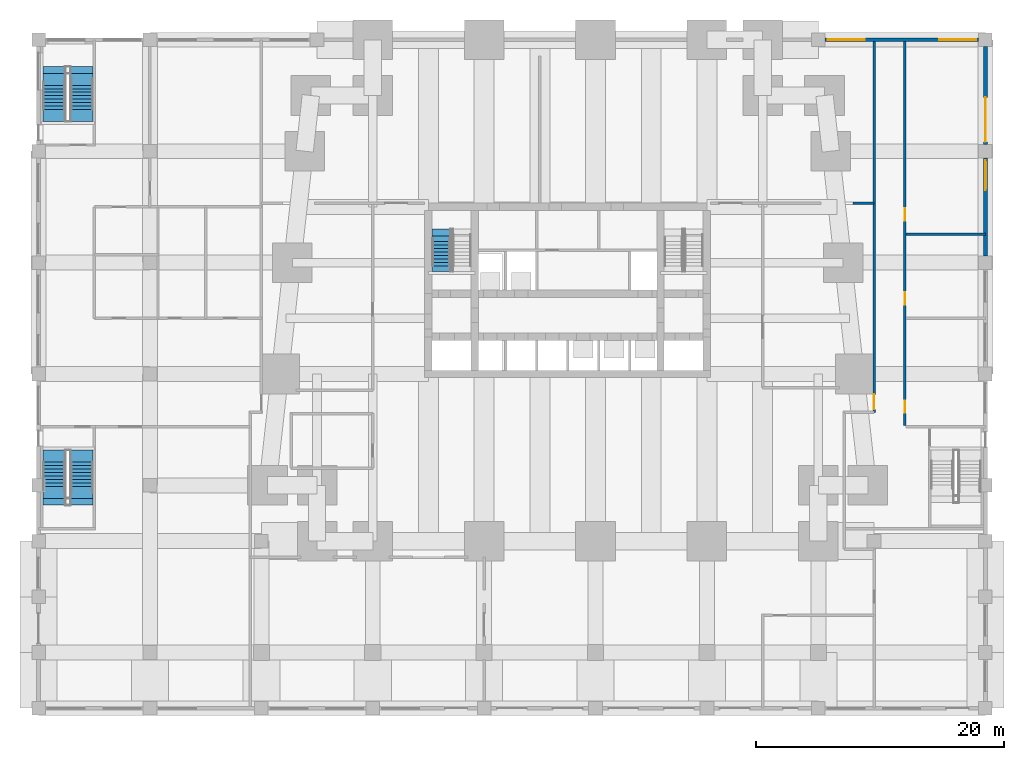
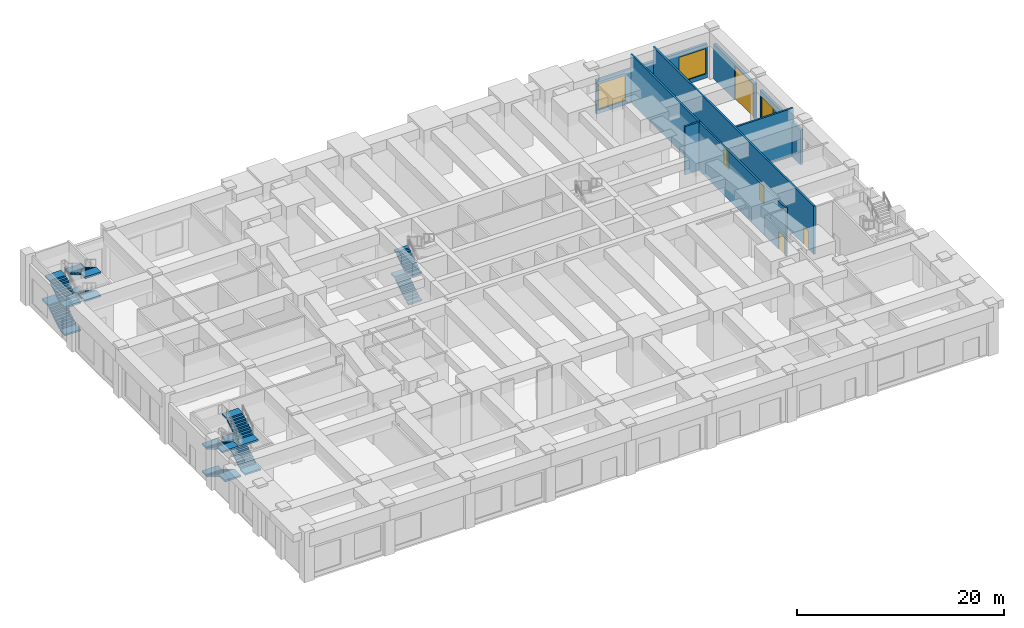
# One storey, part 7 of 13: 10 stair flights, 7 walls, 5 doors, 3 windows, 8 openings, 3 elements without a shape of their own.
"""IFC4 building model written with IfcOpenShell, lengths in metres."""

from ifc_helpers import new_model, si_unit, direction, frame, frame_2d, origin, place, context, subcontext, project, spatial, polyline, rectangle, outline, extrude, material, layer, layer_set, type_object, element, fill, aggregate, save


model = new_model("IFC4")

# Units and contexts
model_context = context("Model", 3, precision=1e-05, world=origin(), true_north=direction((0.0, 1.0)))
body_context = subcontext(model_context, "Body", "Model", "MODEL_VIEW")
ifc_project = project(units=[si_unit("LENGTHUNIT", "METRE"), si_unit("AREAUNIT", "SQUARE_METRE"), si_unit("VOLUMEUNIT", "CUBIC_METRE"), si_unit("PLANEANGLEUNIT", "RADIAN"), si_unit("MASSUNIT", "GRAM", prefix="KILO")], contexts=[model_context])

# Site, building, storey
site_placement = place(None, origin())
site = spatial("IfcSite", under=ifc_project, at=site_placement, CompositionType="ELEMENT")
building_placement = place(site_placement, origin())
building = spatial("IfcBuilding", under=site, at=building_placement, Name="Kilele Tower Hotel", CompositionType="ELEMENT")
storey_placement = place(building_placement, origin())
storey = spatial("IfcBuildingStorey", under=building, at=storey_placement, Name="L00", CompositionType="ELEMENT", Elevation=0.0)

# Wall, opening, door
ifc_material_1 = material(Name="Blockwork, plastered both sides", Category="masonry")
ifc_layer_1 = layer(ifc_material_1, 0.199951171875)
ifc_layer_set_1 = layer_set([ifc_layer_1], Name="Blockwork, plastered both sides")
wall_type_1 = type_object("IfcWallType", Name="Partition wall 200", PredefinedType="PARTITIONING", material=ifc_layer_set_1)
wall_1_placement = place(storey_placement, frame((49.5, 10.39990234375, 0.0), z_axis=(0.0, 0.0, 1.0), x_axis=(0.0, 1.0, 0.0)))
wall_1 = element("IfcWall", 1, at=wall_1_placement, inside=storey, type_object=wall_type_1, Name="Partition wall 200 L00", PredefinedType="PARTITIONING", context=body_context, shape_type="SweptSolid", body=[
    extrude(rectangle(XDim=30.10009765625, YDim=0.199951171875, at=frame_2d((15.050048828125, 0.0))), origin(), (0.0, 0.0, 1.0), 5.699951171875),
])
opening_1_placement = place(wall_1_placement, frame((0.25, 0.0, 0.0)))
opening_1 = element("IfcOpeningElement", 2, at=opening_1_placement, cuts=wall_1, Name="Opening D8A", PredefinedType="OPENING", context=body_context, shape_type="SweptSolid", body=[
    extrude(rectangle(XDim=1.199951171875, YDim=2.10009765625, at=frame_2d((0.60009765625, 1.050048828125))), frame((0.0, 0.10986328125, 0.0), z_axis=(0.0, -1.0, 0.0), x_axis=(1.0, 0.0, 0.0)), (0.0, 0.0, 1.0), 0.219970703125),
])
ifc_material_2 = material(Name="Timber door leaf in hardwood frame", Category="wood")
door_type_1 = type_object("IfcDoorType", Name="Door 1200", OperationType="SINGLE_SWING_LEFT", PredefinedType="DOOR", material=ifc_material_2)
door_1_placement = place(opening_1_placement, origin())
door_1 = element("IfcDoor", 3, at=door_1_placement, inside=storey, type_object=door_type_1, Name="Door service corridor", OperationType="SINGLE_SWING_LEFT", OverallHeight=2.10009765625, OverallWidth=1.199951171875, PredefinedType="DOOR", context=body_context, shape_type="SweptSolid", body=[
    extrude(rectangle(XDim=1.199951171875, YDim=2.10009765625, at=frame_2d((0.60009765625, 1.050048828125))), frame((0.0, 0.02490234375, 0.0), z_axis=(0.0, -1.0, 0.0), x_axis=(1.0, 0.0, 0.0)), (0.0, 0.0, 1.0), 0.050048828125),
])
fill(opening_1, door_1)

# Wall
wall_2_placement = place(storey_placement, frame((47.800048828125, 27.300048828125, 0.0), z_axis=(0.0, 0.0, 1.0), x_axis=(1.0, 0.0, 0.0)))
element("IfcWall", 4, at=wall_2_placement, inside=storey, type_object=wall_type_1, Name="Partition wall 200 L00", PredefinedType="PARTITIONING", context=body_context, shape_type="SweptSolid", body=[
    extrude(rectangle(XDim=1.699951171875, YDim=0.199951171875, at=frame_2d((0.85009765625, 0.0))), origin(), (0.0, 0.0, 1.0), 5.699951171875),
])

# Wall, openings, doors
wall_3_placement = place(storey_placement, frame((52.0, 9.35009765625, 0.0), z_axis=(0.0, 0.0, 1.0), x_axis=(0.0, 1.0, 0.0)))
wall_3 = element("IfcWall", 5, at=wall_3_placement, inside=storey, type_object=wall_type_1, Name="Partition wall 200 L00", PredefinedType="PARTITIONING", context=body_context, shape_type="SweptSolid", body=[
    extrude(rectangle(XDim=31.14990234375, YDim=0.199951171875, at=frame_2d((15.574951171875, 0.0))), origin(), (0.0, 0.0, 1.0), 5.699951171875),
])
opening_2_placement = place(wall_3_placement, frame((2.0, 0.0, 0.0), z_axis=(0.0, 0.0, 1.0), x_axis=(-1.0, 0.0, 0.0)))
opening_2 = element("IfcOpeningElement", 6, at=opening_2_placement, cuts=wall_3, Name="Opening D8", PredefinedType="OPENING", context=body_context, shape_type="SweptSolid", body=[
    extrude(rectangle(XDim=1.0, YDim=2.10009765625, at=frame_2d((0.5, 1.050048828125))), frame((0.0, 0.10986328125, 0.0), z_axis=(0.0, -1.0, 0.0), x_axis=(1.0, 0.0, 0.0)), (0.0, 0.0, 1.0), 0.219970703125),
])
opening_3_placement = place(wall_3_placement, frame((10.75, 0.0, 0.0), z_axis=(0.0, 0.0, 1.0), x_axis=(-1.0, 0.0, 0.0)))
opening_3 = element("IfcOpeningElement", 7, at=opening_3_placement, cuts=wall_3, Name="Opening D7", PredefinedType="OPENING", context=body_context, shape_type="SweptSolid", body=[
    extrude(rectangle(XDim=1.0, YDim=2.10009765625, at=frame_2d((0.5, 1.050048828125))), frame((0.0, 0.10986328125, 0.0), z_axis=(0.0, -1.0, 0.0), x_axis=(1.0, 0.0, 0.0)), (0.0, 0.0, 1.0), 0.219970703125),
])
opening_4_placement = place(wall_3_placement, frame((17.550048828125, 0.0, 0.0), z_axis=(0.0, 0.0, 1.0), x_axis=(-1.0, 0.0, 0.0)))
opening_4 = element("IfcOpeningElement", 8, at=opening_4_placement, cuts=wall_3, Name="Opening D7", PredefinedType="OPENING", context=body_context, shape_type="SweptSolid", body=[
    extrude(rectangle(XDim=1.0, YDim=2.10009765625, at=frame_2d((0.5, 1.050048828125))), frame((0.0, 0.10986328125, 0.0), z_axis=(0.0, -1.0, 0.0), x_axis=(1.0, 0.0, 0.0)), (0.0, 0.0, 1.0), 0.219970703125),
])
ifc_material_3 = material(Name="Timber door leaf in hardwood frame", Category="wood")
door_type_2 = type_object("IfcDoorType", Name="Door 1000", OperationType="SINGLE_SWING_LEFT", PredefinedType="DOOR", material=ifc_material_3)
door_2_placement = place(opening_2_placement, origin())
door_2 = element("IfcDoor", 9, at=door_2_placement, inside=storey, type_object=door_type_2, Name="Door Security office", OperationType="SINGLE_SWING_RIGHT", OverallHeight=2.10009765625, OverallWidth=1.0, PredefinedType="DOOR", context=body_context, shape_type="SweptSolid", body=[
    extrude(rectangle(XDim=1.0, YDim=2.10009765625, at=frame_2d((0.5, 1.050048828125))), frame((0.0, 0.02490234375, 0.0), z_axis=(0.0, -1.0, 0.0), x_axis=(1.0, 0.0, 0.0)), (0.0, 0.0, 1.0), 0.050048828125),
])
fill(opening_2, door_2)
ifc_material_4 = material(Name="Timber door leaf in hardwood frame", Category="wood")
door_type_3 = type_object("IfcDoorType", Name="Plant room door 1000", OperationType="SINGLE_SWING_LEFT", PredefinedType="DOOR", material=ifc_material_4)
door_3_placement = place(opening_3_placement, origin())
door_3 = element("IfcDoor", 10, at=door_3_placement, inside=storey, type_object=door_type_3, Name="Door Refuse room", OperationType="SINGLE_SWING_RIGHT", OverallHeight=2.10009765625, OverallWidth=1.0, PredefinedType="DOOR", context=body_context, shape_type="SweptSolid", body=[
    extrude(rectangle(XDim=1.0, YDim=2.10009765625, at=frame_2d((0.5, 1.050048828125))), frame((0.0, 0.02490234375, 0.0), z_axis=(0.0, -1.0, 0.0), x_axis=(1.0, 0.0, 0.0)), (0.0, 0.0, 1.0), 0.050048828125),
])
fill(opening_3, door_3)
door_4_placement = place(opening_4_placement, origin())
door_4 = element("IfcDoor", 11, at=door_4_placement, inside=storey, type_object=door_type_3, Name="Door Loading bay", OperationType="SINGLE_SWING_RIGHT", OverallHeight=2.10009765625, OverallWidth=1.0, PredefinedType="DOOR", context=body_context, shape_type="SweptSolid", body=[
    extrude(rectangle(XDim=1.0, YDim=2.10009765625, at=frame_2d((0.5, 1.050048828125))), frame((0.0, 0.02490234375, 0.0), z_axis=(0.0, -1.0, 0.0), x_axis=(1.0, 0.0, 0.0)), (0.0, 0.0, 1.0), 0.050048828125),
])
fill(opening_4, door_4)

# Wall
wall_4_placement = place(storey_placement, frame((52.10009765625, 24.800048828125, 0.0), z_axis=(0.0, 0.0, 1.0), x_axis=(1.0, 0.0, 0.0)))
element("IfcWall", 12, at=wall_4_placement, inside=storey, type_object=wall_type_1, Name="Partition wall 200 L00", PredefinedType="PARTITIONING", context=body_context, shape_type="SweptSolid", body=[
    extrude(rectangle(XDim=6.39990234375, YDim=0.199951171875, at=frame_2d((3.199951171875, 0.0))), origin(), (0.0, 0.0, 1.0), 5.699951171875),
])

# Wall, opening, window
ifc_material_5 = material(Name="Concrete C40/50 precast", Category="concrete")
ifc_layer_2 = layer(ifc_material_5, 0.260009765625, Name="Precast backing", Category="LoadBearing")
ifc_material_6 = material(Name="Reconstituted stone finish", Category="masonry")
ifc_layer_3 = layer(ifc_material_6, 0.0400390625, Name="Face mix", Category="Finish")
ifc_layer_set_2 = layer_set([ifc_layer_2, ifc_layer_3], Name="Precast concrete C40/50, reconstituted stone finish")
wall_type_2 = type_object("IfcWallType", Name="Precast stone facade wall 300", PredefinedType="STANDARD", material=ifc_layer_set_2)
wall_5_placement = place(storey_placement, frame((58.5, 23.050048828125, 0.0), z_axis=(0.0, 0.0, 1.0), x_axis=(0.0, 1.0, 0.0)))
wall_5 = element("IfcWall", 13, at=wall_5_placement, inside=storey, type_object=wall_type_2, Name="Podium wall L00 E", PredefinedType="STANDARD", context=body_context, shape_type="SweptSolid", body=[
    extrude(rectangle(XDim=7.89990234375, YDim=0.300048828125, at=frame_2d((3.949951171875, 0.0))), origin(), (0.0, 0.0, 1.0), 4.10009765625),
])
opening_5_placement = place(wall_5_placement, frame((5.300048828125, 0.0, 0.5)))
opening_5 = element("IfcOpeningElement", 14, at=opening_5_placement, cuts=wall_5, Name="Opening W5", PredefinedType="OPENING", context=body_context, shape_type="SweptSolid", body=[
    extrude(rectangle(XDim=2.39990234375, YDim=3.0, at=frame_2d((1.199951171875, 1.5))), frame((0.0, 0.159912109375, 0.0), z_axis=(0.0, -1.0, 0.0), x_axis=(1.0, 0.0, 0.0)), (0.0, 0.0, 1.0), 0.320068359375),
])
ifc_material_7 = material(Name="Aluminium frame, clear double glazing", Category="aluminium")
window_type_1 = type_object("IfcWindowType", Name="Window W5 2400 x 3000", PartitioningType="SINGLE_PANEL", PredefinedType="WINDOW", material=ifc_material_7)
window_1_placement = place(opening_5_placement, origin())
window_1 = element("IfcWindow", 15, at=window_1_placement, inside=storey, type_object=window_type_1, Name="Shopfront window L00", OverallHeight=3.0, OverallWidth=2.39990234375, PartitioningType="SINGLE_PANEL", PredefinedType="WINDOW", context=body_context, shape_type="SweptSolid", body=[
    extrude(rectangle(XDim=2.39990234375, YDim=3.0, at=frame_2d((1.199951171875, 1.5))), frame((0.0, 0.030029296875, 0.0), z_axis=(0.0, -1.0, 0.0), x_axis=(1.0, 0.0, 0.0)), (0.0, 0.0, 1.0), 0.06005859375),
])
fill(opening_5, window_1)

# Wall, opening, door
wall_6_placement = place(storey_placement, frame((58.5, 32.050048828125, 0.0), z_axis=(0.0, 0.0, 1.0), x_axis=(0.0, 1.0, 0.0)))
wall_6 = element("IfcWall", 16, at=wall_6_placement, inside=storey, type_object=wall_type_2, Name="Podium wall L00 E", PredefinedType="STANDARD", context=body_context, shape_type="SweptSolid", body=[
    extrude(rectangle(XDim=7.89990234375, YDim=0.300048828125, at=frame_2d((3.949951171875, 0.0))), origin(), (0.0, 0.0, 1.0), 4.10009765625),
])
opening_6_placement = place(wall_6_placement, frame((0.199951171875, 0.0, 0.0)))
opening_6 = element("IfcOpeningElement", 17, at=opening_6_placement, cuts=wall_6, Name="Opening RS1", PredefinedType="OPENING", context=body_context, shape_type="SweptSolid", body=[
    extrude(rectangle(XDim=3.60009765625, YDim=4.0, at=frame_2d((1.800048828125, 2.0))), frame((0.0, 0.159912109375, 0.0), z_axis=(0.0, -1.0, 0.0), x_axis=(1.0, 0.0, 0.0)), (0.0, 0.0, 1.0), 0.320068359375),
])
ifc_material_8 = material(Name="Steel roller shutter", Category="steel")
door_type_4 = type_object("IfcDoorType", Name="Roller shutter 3600", OperationType="ROLLINGUP", PredefinedType="DOOR", material=ifc_material_8)
door_5_placement = place(opening_6_placement, origin())
door_5 = element("IfcDoor", 18, at=door_5_placement, inside=storey, type_object=door_type_4, Name="Roller shutter", OperationType="ROLLINGUP", OverallHeight=4.0, OverallWidth=3.60009765625, PredefinedType="DOOR", context=body_context, shape_type="SweptSolid", body=[
    extrude(rectangle(XDim=3.60009765625, YDim=4.0, at=frame_2d((1.800048828125, 2.0))), frame((0.0, 0.02490234375, 0.0), z_axis=(0.0, -1.0, 0.0), x_axis=(1.0, 0.0, 0.0)), (0.0, 0.0, 1.0), 0.050048828125),
])
fill(opening_6, door_5)

# Wall, openings, windows
wall_7_placement = place(storey_placement, frame((57.949951171875, 40.5, 0.0), z_axis=(0.0, 0.0, 1.0), x_axis=(-1.0, 0.0, 0.0)))
wall_7 = element("IfcWall", 19, at=wall_7_placement, inside=storey, type_object=wall_type_2, Name="Podium wall L00 N", PredefinedType="STANDARD", context=body_context, shape_type="SweptSolid", body=[
    extrude(rectangle(XDim=12.39990234375, YDim=0.300048828125, at=frame_2d((6.199951171875, 0.0))), origin(), (0.0, 0.0, 1.0), 4.0),
])
opening_7_placement = place(wall_7_placement, frame((0.199951171875, 0.0, 0.5)))
opening_7 = element("IfcOpeningElement", 20, at=opening_7_placement, cuts=wall_7, Name="Opening W5", PredefinedType="OPENING", context=body_context, shape_type="SweptSolid", body=[
    extrude(rectangle(XDim=3.0, YDim=3.0, at=frame_2d((1.5, 1.5))), frame((0.0, 0.159912109375, 0.0), z_axis=(0.0, -1.0, 0.0), x_axis=(1.0, 0.0, 0.0)), (0.0, 0.0, 1.0), 0.320068359375),
])
opening_8_placement = place(wall_7_placement, frame((9.199951171875, 0.0, 0.5)))
opening_8 = element("IfcOpeningElement", 21, at=opening_8_placement, cuts=wall_7, Name="Opening W5", PredefinedType="OPENING", context=body_context, shape_type="SweptSolid", body=[
    extrude(rectangle(XDim=3.0, YDim=3.0, at=frame_2d((1.5, 1.5))), frame((0.0, 0.159912109375, 0.0), z_axis=(0.0, -1.0, 0.0), x_axis=(1.0, 0.0, 0.0)), (0.0, 0.0, 1.0), 0.320068359375),
])
ifc_material_9 = material(Name="Aluminium frame, clear double glazing", Category="aluminium")
window_type_2 = type_object("IfcWindowType", Name="Window W5 3000 x 3000", PartitioningType="SINGLE_PANEL", PredefinedType="WINDOW", material=ifc_material_9)
window_2_placement = place(opening_7_placement, origin())
window_2 = element("IfcWindow", 22, at=window_2_placement, inside=storey, type_object=window_type_2, Name="Shopfront window L00", OverallHeight=3.0, OverallWidth=3.0, PartitioningType="SINGLE_PANEL", PredefinedType="WINDOW", context=body_context, shape_type="SweptSolid", body=[
    extrude(rectangle(XDim=3.0, YDim=3.0, at=frame_2d((1.5, 1.5))), frame((0.0, 0.030029296875, 0.0), z_axis=(0.0, -1.0, 0.0), x_axis=(1.0, 0.0, 0.0)), (0.0, 0.0, 1.0), 0.06005859375),
])
fill(opening_7, window_2)
window_3_placement = place(opening_8_placement, origin())
window_3 = element("IfcWindow", 23, at=window_3_placement, inside=storey, type_object=window_type_2, Name="Shopfront window L00", OverallHeight=3.0, OverallWidth=3.0, PartitioningType="SINGLE_PANEL", PredefinedType="WINDOW", context=body_context, shape_type="SweptSolid", body=[
    extrude(rectangle(XDim=3.0, YDim=3.0, at=frame_2d((1.5, 1.5))), frame((0.0, 0.030029296875, 0.0), z_axis=(0.0, -1.0, 0.0), x_axis=(1.0, 0.0, 0.0)), (0.0, 0.0, 1.0), 0.06005859375),
])
fill(opening_8, window_3)

# Stair, stair flights
ifc_material_10 = material(Name="Precast concrete C40/50", Category="concrete")
stair_type_1 = type_object("IfcStairType", Name="Stair 1475 x 6000", PredefinedType="HALF_TURN_STAIR", material=ifc_material_10)
stair_1_placement = place(storey_placement, origin())
stair_1 = element("IfcStair", 24, at=stair_1_placement, inside=storey, type_object=stair_type_1, Name="Stair 1 L00", PredefinedType="HALF_TURN_STAIR")
ifc_material_11 = material(Name="Precast concrete C40/50", Category="concrete")
stair_flight_type_1 = type_object("IfcStairFlightType", Name="Flight 1475 riser 171.4", PredefinedType="STRAIGHT", material=ifc_material_11)
stair_flight_1_placement = place(storey_placement, frame((14.53759765625, 22.239990234375, 0.0), z_axis=(0.0, 0.0, 1.0), x_axis=(0.0, 1.0, 0.0)))
stair_flight_1 = element("IfcStairFlight", 25, at=stair_flight_1_placement, type_object=stair_flight_type_1, Name="ST1 flight 1", NumberOfRisers=9, NumberOfTreads=8, PredefinedType="STRAIGHT", RiserHeight=0.171428571, TreadLength=0.28, context=body_context, shape_type="SweptSolid", body=[
    extrude(outline(polyline([(0.0, 0.0), (0.0, 0.17138671875), (0.280029296875, 0.17138671875), (0.280029296875, 0.3427734375), (0.56005859375, 0.3427734375), (0.56005859375, 0.514404296875), (0.840087890625, 0.514404296875), (0.840087890625, 0.685791015625), (1.1201171875, 0.685791015625), (1.1201171875, 0.857177734375), (1.39990234375, 0.857177734375), (1.39990234375, 1.028564453125), (1.679931640625, 1.028564453125), (1.679931640625, 1.199951171875), (1.9599609375, 1.199951171875), (1.9599609375, 1.371337890625), (2.239990234375, 1.371337890625), (2.239990234375, 1.54296875), (2.239990234375, 1.195556640625), (0.287109375, 0.0), (0.0, 0.0)])), frame((0.0, 0.737548828125, 0.0), z_axis=(0.0, -1.0, 0.0), x_axis=(1.0, 0.0, 0.0)), (0.0, 0.0, 1.0), 1.47509765625),
    extrude(outline(polyline([(-0.465087890625, 0.737548828125), (-0.465087890625, -0.7373046875), (0.0, -0.7373046875), (0.0, 0.737548828125), (-0.465087890625, 0.737548828125)])), frame((0.0, 0.0, -0.199951171875)), (0.0, 0.0, 1.0), 0.199951171875),
    extrude(outline(polyline([(2.239990234375, 0.737548828125), (2.239990234375, -0.7373046875), (2.985107421875, -0.7373046875), (2.985107421875, 0.737548828125), (2.239990234375, 0.737548828125)])), frame((0.0, 0.0, 1.343017578125)), (0.0, 0.0, 1.0), 0.199951171875),
])
stair_flight_2_placement = place(storey_placement, frame((14.53759765625, 22.239990234375, 3.257080078125), z_axis=(0.0, 0.0, 1.0), x_axis=(0.0, 1.0, 0.0)))
stair_flight_2 = element("IfcStairFlight", 26, at=stair_flight_2_placement, type_object=stair_flight_type_1, Name="ST1 flight 3", NumberOfRisers=8, NumberOfTreads=7, PredefinedType="STRAIGHT", RiserHeight=0.171428571, TreadLength=0.28, context=body_context, shape_type="SweptSolid", body=[
    extrude(outline(polyline([(0.0, 0.0), (0.0, 0.17138671875), (0.280029296875, 0.17138671875), (0.280029296875, 0.3427734375), (0.56005859375, 0.3427734375), (0.56005859375, 0.514404296875), (0.840087890625, 0.514404296875), (0.840087890625, 0.685791015625), (1.1201171875, 0.685791015625), (1.1201171875, 0.857177734375), (1.39990234375, 0.857177734375), (1.39990234375, 1.028564453125), (1.679931640625, 1.028564453125), (1.679931640625, 1.199951171875), (1.9599609375, 1.199951171875), (1.9599609375, 1.371337890625), (1.9599609375, 1.024169921875), (0.287109375, 0.0), (0.0, 0.0)])), frame((0.0, 0.737548828125, 0.0), z_axis=(0.0, -1.0, 0.0), x_axis=(1.0, 0.0, 0.0)), (0.0, 0.0, 1.0), 1.47509765625),
    extrude(outline(polyline([(-0.465087890625, 0.737548828125), (-0.465087890625, -0.7373046875), (0.0, -0.7373046875), (0.0, 0.737548828125), (-0.465087890625, 0.737548828125)])), frame((0.0, 0.0, -0.199951171875)), (0.0, 0.0, 1.0), 0.199951171875),
    extrude(outline(polyline([(1.9599609375, 0.737548828125), (1.9599609375, -0.7373046875), (2.425048828125, -0.7373046875), (2.425048828125, 0.737548828125), (1.9599609375, 0.737548828125)])), frame((0.0, 0.0, 1.171630859375)), (0.0, 0.0, 1.0), 0.199951171875),
])
aggregate(stair_1, [stair_flight_1, stair_flight_2])

ifc_material_12 = material(Name="Precast concrete C40/50", Category="concrete")
stair_type_2 = type_object("IfcStairType", Name="Stair 1800 x 6000", PredefinedType="HALF_TURN_STAIR", material=ifc_material_12)
stair_2_placement = place(storey_placement, origin())
stair_2 = element("IfcStair", 27, at=stair_2_placement, inside=storey, type_object=stair_type_2, Name="Stair 3 L00", PredefinedType="HALF_TURN_STAIR")
ifc_material_13 = material(Name="Precast concrete C40/50", Category="concrete")
stair_flight_type_2 = type_object("IfcStairFlightType", Name="Flight 1800 riser 171.4", PredefinedType="STRAIGHT", material=ifc_material_13)
stair_flight_3_placement = place(storey_placement, frame((-16.75, 34.864990234375, 0.0), z_axis=(0.0, 0.0, 1.0), x_axis=(0.0, 1.0, 0.0)))
stair_flight_3 = element("IfcStairFlight", 28, at=stair_flight_3_placement, type_object=stair_flight_type_2, Name="ST3 flight 1", NumberOfRisers=9, NumberOfTreads=8, PredefinedType="STRAIGHT", RiserHeight=0.171428571, TreadLength=0.28, context=body_context, shape_type="SweptSolid", body=[
    extrude(outline(polyline([(0.0, 0.0), (0.0, 0.17138671875), (0.280029296875, 0.17138671875), (0.280029296875, 0.3427734375), (0.56005859375, 0.3427734375), (0.56005859375, 0.514404296875), (0.840087890625, 0.514404296875), (0.840087890625, 0.685791015625), (1.1201171875, 0.685791015625), (1.1201171875, 0.857177734375), (1.39990234375, 0.857177734375), (1.39990234375, 1.028564453125), (1.679931640625, 1.028564453125), (1.679931640625, 1.199951171875), (1.9599609375, 1.199951171875), (1.9599609375, 1.371337890625), (2.239990234375, 1.371337890625), (2.239990234375, 1.54296875), (2.239990234375, 1.195556640625), (0.287109375, 0.0), (0.0, 0.0)])), frame((0.0, 0.89990234375, 0.0), z_axis=(0.0, -1.0, 0.0), x_axis=(1.0, 0.0, 0.0)), (0.0, 0.0, 1.0), 1.800048828125),
    extrude(outline(polyline([(-0.965087890625, 0.89990234375), (-0.965087890625, -0.89990234375), (0.0, -0.89990234375), (0.0, 0.89990234375), (-0.965087890625, 0.89990234375)])), frame((0.0, 0.0, -0.199951171875)), (0.0, 0.0, 1.0), 0.199951171875),
    extrude(outline(polyline([(2.239990234375, 0.89990234375), (2.239990234375, -0.89990234375), (3.485107421875, -0.89990234375), (3.485107421875, 0.89990234375), (2.239990234375, 0.89990234375)])), frame((0.0, 0.0, 1.343017578125)), (0.0, 0.0, 1.0), 0.199951171875),
])
stair_flight_4_placement = place(storey_placement, frame((-14.5, 37.385009765625, 1.54296875), z_axis=(0.0, 0.0, 1.0), x_axis=(0.0, -1.0, 0.0)))
stair_flight_4 = element("IfcStairFlight", 29, at=stair_flight_4_placement, type_object=stair_flight_type_2, Name="ST3 flight 2", NumberOfRisers=10, NumberOfTreads=9, PredefinedType="STRAIGHT", RiserHeight=0.171428571, TreadLength=0.28, context=body_context, shape_type="SweptSolid", body=[
    extrude(outline(polyline([(0.0, 0.0), (0.0, 0.17138671875), (0.280029296875, 0.17138671875), (0.280029296875, 0.3427734375), (0.56005859375, 0.3427734375), (0.56005859375, 0.514404296875), (0.840087890625, 0.514404296875), (0.840087890625, 0.685791015625), (1.1201171875, 0.685791015625), (1.1201171875, 0.857177734375), (1.39990234375, 0.857177734375), (1.39990234375, 1.028564453125), (1.679931640625, 1.028564453125), (1.679931640625, 1.199951171875), (1.9599609375, 1.199951171875), (1.9599609375, 1.371337890625), (2.239990234375, 1.371337890625), (2.239990234375, 1.54296875), (2.52001953125, 1.54296875), (2.52001953125, 1.71435546875), (2.52001953125, 1.3671875), (0.287109375, 0.0), (0.0, 0.0)])), frame((0.0, 0.89990234375, 0.0), z_axis=(0.0, -1.0, 0.0), x_axis=(1.0, 0.0, 0.0)), (0.0, 0.0, 1.0), 1.800048828125),
    extrude(outline(polyline([(0.0, -0.89990234375), (0.0, 0.89990234375), (-0.965087890625, 0.89990234375), (-0.965087890625, -0.89990234375), (0.0, -0.89990234375)])), frame((0.0, 0.0, -0.199951171875)), (0.0, 0.0, 1.0), 0.199951171875),
    extrude(outline(polyline([(3.485107421875, -0.89990234375), (3.485107421875, 0.89990234375), (2.52001953125, 0.89990234375), (2.52001953125, -0.89990234375), (3.485107421875, -0.89990234375)])), frame((0.0, 0.0, 1.51416015625)), (0.0, 0.0, 1.0), 0.199951171875),
])
stair_flight_5_placement = place(storey_placement, frame((-16.75, 34.864990234375, 3.257080078125), z_axis=(0.0, 0.0, 1.0), x_axis=(0.0, 1.0, 0.0)))
stair_flight_5 = element("IfcStairFlight", 30, at=stair_flight_5_placement, type_object=stair_flight_type_2, Name="ST3 flight 3", NumberOfRisers=8, NumberOfTreads=7, PredefinedType="STRAIGHT", RiserHeight=0.171428571, TreadLength=0.28, context=body_context, shape_type="SweptSolid", body=[
    extrude(outline(polyline([(0.0, 0.0), (0.0, 0.17138671875), (0.280029296875, 0.17138671875), (0.280029296875, 0.3427734375), (0.56005859375, 0.3427734375), (0.56005859375, 0.514404296875), (0.840087890625, 0.514404296875), (0.840087890625, 0.685791015625), (1.1201171875, 0.685791015625), (1.1201171875, 0.857177734375), (1.39990234375, 0.857177734375), (1.39990234375, 1.028564453125), (1.679931640625, 1.028564453125), (1.679931640625, 1.199951171875), (1.9599609375, 1.199951171875), (1.9599609375, 1.371337890625), (1.9599609375, 1.024169921875), (0.287109375, 0.0), (0.0, 0.0)])), frame((0.0, 0.89990234375, 0.0), z_axis=(0.0, -1.0, 0.0), x_axis=(1.0, 0.0, 0.0)), (0.0, 0.0, 1.0), 1.800048828125),
    extrude(outline(polyline([(-0.965087890625, 0.89990234375), (-0.965087890625, -0.89990234375), (0.0, -0.89990234375), (0.0, 0.89990234375), (-0.965087890625, 0.89990234375)])), frame((0.0, 0.0, -0.199951171875)), (0.0, 0.0, 1.0), 0.199951171875),
    extrude(outline(polyline([(1.9599609375, 0.89990234375), (1.9599609375, -0.89990234375), (2.925048828125, -0.89990234375), (2.925048828125, 0.89990234375), (1.9599609375, 0.89990234375)])), frame((0.0, 0.0, 1.171630859375)), (0.0, 0.0, 1.0), 0.199951171875),
])
stair_flight_6_placement = place(storey_placement, frame((-14.5, 36.824951171875, 4.628662109375), z_axis=(0.0, 0.0, 1.0), x_axis=(0.0, -1.0, 0.0)))
stair_flight_6 = element("IfcStairFlight", 31, at=stair_flight_6_placement, type_object=stair_flight_type_2, Name="ST3 flight 4", NumberOfRisers=8, NumberOfTreads=7, PredefinedType="STRAIGHT", RiserHeight=0.171428571, TreadLength=0.28, context=body_context, shape_type="SweptSolid", body=[
    extrude(outline(polyline([(0.0, 0.0), (0.0, 0.17138671875), (0.280029296875, 0.17138671875), (0.280029296875, 0.3427734375), (0.56005859375, 0.3427734375), (0.56005859375, 0.514404296875), (0.840087890625, 0.514404296875), (0.840087890625, 0.685791015625), (1.1201171875, 0.685791015625), (1.1201171875, 0.857177734375), (1.39990234375, 0.857177734375), (1.39990234375, 1.028564453125), (1.679931640625, 1.028564453125), (1.679931640625, 1.199951171875), (1.9599609375, 1.199951171875), (1.9599609375, 1.371337890625), (1.9599609375, 1.024169921875), (0.287109375, 0.0), (0.0, 0.0)])), frame((0.0, 0.89990234375, 0.0), z_axis=(0.0, -1.0, 0.0), x_axis=(1.0, 0.0, 0.0)), (0.0, 0.0, 1.0), 1.800048828125),
    extrude(outline(polyline([(0.0, -0.89990234375), (0.0, 0.89990234375), (-0.965087890625, 0.89990234375), (-0.965087890625, -0.89990234375), (0.0, -0.89990234375)])), frame((0.0, 0.0, -0.199951171875)), (0.0, 0.0, 1.0), 0.199951171875),
    extrude(outline(polyline([(2.925048828125, -0.89990234375), (2.925048828125, 0.89990234375), (1.9599609375, 0.89990234375), (1.9599609375, -0.89990234375), (2.925048828125, -0.89990234375)])), frame((0.0, 0.0, 1.17138671875)), (0.0, 0.0, 1.0), 0.199951171875),
])
aggregate(stair_2, [stair_flight_3, stair_flight_4, stair_flight_5, stair_flight_6])

stair_3_placement = place(storey_placement, origin())
stair_3 = element("IfcStair", 32, at=stair_3_placement, inside=storey, type_object=stair_type_2, Name="Stair 4 L00", PredefinedType="HALF_TURN_STAIR")
stair_flight_7_placement = place(storey_placement, frame((-16.75, 6.385009765625, 0.0), z_axis=(0.0, 0.0, 1.0), x_axis=(0.0, -1.0, 0.0)))
stair_flight_7 = element("IfcStairFlight", 33, at=stair_flight_7_placement, type_object=stair_flight_type_2, Name="ST4 flight 1", NumberOfRisers=9, NumberOfTreads=8, PredefinedType="STRAIGHT", RiserHeight=0.171428571, TreadLength=0.28, context=body_context, shape_type="SweptSolid", body=[
    extrude(outline(polyline([(0.0, 0.0), (0.0, 0.17138671875), (0.280029296875, 0.17138671875), (0.280029296875, 0.3427734375), (0.56005859375, 0.3427734375), (0.56005859375, 0.514404296875), (0.840087890625, 0.514404296875), (0.840087890625, 0.685791015625), (1.1201171875, 0.685791015625), (1.1201171875, 0.857177734375), (1.39990234375, 0.857177734375), (1.39990234375, 1.028564453125), (1.679931640625, 1.028564453125), (1.679931640625, 1.199951171875), (1.9599609375, 1.199951171875), (1.9599609375, 1.371337890625), (2.239990234375, 1.371337890625), (2.239990234375, 1.54296875), (2.239990234375, 1.195556640625), (0.287109375, 0.0), (0.0, 0.0)])), frame((0.0, 0.89990234375, 0.0), z_axis=(0.0, -1.0, 0.0), x_axis=(1.0, 0.0, 0.0)), (0.0, 0.0, 1.0), 1.800048828125),
    extrude(outline(polyline([(0.0, -0.89990234375), (0.0, 0.89990234375), (-0.965087890625, 0.89990234375), (-0.965087890625, -0.89990234375), (0.0, -0.89990234375)])), frame((0.0, 0.0, -0.199951171875)), (0.0, 0.0, 1.0), 0.199951171875),
    extrude(outline(polyline([(3.485107421875, -0.89990234375), (3.485107421875, 0.89990234375), (2.239990234375, 0.89990234375), (2.239990234375, -0.89990234375), (3.485107421875, -0.89990234375)])), frame((0.0, 0.0, 1.343017578125)), (0.0, 0.0, 1.0), 0.199951171875),
])
stair_flight_8_placement = place(storey_placement, frame((-14.5, 3.864990234375, 1.54296875), z_axis=(0.0, 0.0, 1.0), x_axis=(0.0, 1.0, 0.0)))
stair_flight_8 = element("IfcStairFlight", 34, at=stair_flight_8_placement, type_object=stair_flight_type_2, Name="ST4 flight 2", NumberOfRisers=10, NumberOfTreads=9, PredefinedType="STRAIGHT", RiserHeight=0.171428571, TreadLength=0.28, context=body_context, shape_type="SweptSolid", body=[
    extrude(outline(polyline([(0.0, 0.0), (0.0, 0.17138671875), (0.280029296875, 0.17138671875), (0.280029296875, 0.3427734375), (0.56005859375, 0.3427734375), (0.56005859375, 0.514404296875), (0.840087890625, 0.514404296875), (0.840087890625, 0.685791015625), (1.1201171875, 0.685791015625), (1.1201171875, 0.857177734375), (1.39990234375, 0.857177734375), (1.39990234375, 1.028564453125), (1.679931640625, 1.028564453125), (1.679931640625, 1.199951171875), (1.9599609375, 1.199951171875), (1.9599609375, 1.371337890625), (2.239990234375, 1.371337890625), (2.239990234375, 1.54296875), (2.52001953125, 1.54296875), (2.52001953125, 1.71435546875), (2.52001953125, 1.3671875), (0.287109375, 0.0), (0.0, 0.0)])), frame((0.0, 0.89990234375, 0.0), z_axis=(0.0, -1.0, 0.0), x_axis=(1.0, 0.0, 0.0)), (0.0, 0.0, 1.0), 1.800048828125),
    extrude(outline(polyline([(-0.965087890625, 0.89990234375), (-0.965087890625, -0.89990234375), (0.0, -0.89990234375), (0.0, 0.89990234375), (-0.965087890625, 0.89990234375)])), frame((0.0, 0.0, -0.199951171875)), (0.0, 0.0, 1.0), 0.199951171875),
    extrude(outline(polyline([(2.52001953125, 0.89990234375), (2.52001953125, -0.89990234375), (3.485107421875, -0.89990234375), (3.485107421875, 0.89990234375), (2.52001953125, 0.89990234375)])), frame((0.0, 0.0, 1.51416015625)), (0.0, 0.0, 1.0), 0.199951171875),
])
stair_flight_9_placement = place(storey_placement, frame((-16.75, 6.385009765625, 3.257080078125), z_axis=(0.0, 0.0, 1.0), x_axis=(0.0, -1.0, 0.0)))
stair_flight_9 = element("IfcStairFlight", 35, at=stair_flight_9_placement, type_object=stair_flight_type_2, Name="ST4 flight 3", NumberOfRisers=8, NumberOfTreads=7, PredefinedType="STRAIGHT", RiserHeight=0.171428571, TreadLength=0.28, context=body_context, shape_type="SweptSolid", body=[
    extrude(outline(polyline([(0.0, 0.0), (0.0, 0.17138671875), (0.280029296875, 0.17138671875), (0.280029296875, 0.3427734375), (0.56005859375, 0.3427734375), (0.56005859375, 0.514404296875), (0.840087890625, 0.514404296875), (0.840087890625, 0.685791015625), (1.1201171875, 0.685791015625), (1.1201171875, 0.857177734375), (1.39990234375, 0.857177734375), (1.39990234375, 1.028564453125), (1.679931640625, 1.028564453125), (1.679931640625, 1.199951171875), (1.9599609375, 1.199951171875), (1.9599609375, 1.371337890625), (1.9599609375, 1.024169921875), (0.287109375, 0.0), (0.0, 0.0)])), frame((0.0, 0.89990234375, 0.0), z_axis=(0.0, -1.0, 0.0), x_axis=(1.0, 0.0, 0.0)), (0.0, 0.0, 1.0), 1.800048828125),
    extrude(outline(polyline([(0.0, -0.89990234375), (0.0, 0.89990234375), (-0.965087890625, 0.89990234375), (-0.965087890625, -0.89990234375), (0.0, -0.89990234375)])), frame((0.0, 0.0, -0.199951171875)), (0.0, 0.0, 1.0), 0.199951171875),
    extrude(outline(polyline([(2.925048828125, -0.89990234375), (2.925048828125, 0.89990234375), (1.9599609375, 0.89990234375), (1.9599609375, -0.89990234375), (2.925048828125, -0.89990234375)])), frame((0.0, 0.0, 1.171630859375)), (0.0, 0.0, 1.0), 0.199951171875),
])
stair_flight_10_placement = place(storey_placement, frame((-14.5, 4.425048828125, 4.628662109375), z_axis=(0.0, 0.0, 1.0), x_axis=(0.0, 1.0, 0.0)))
stair_flight_10 = element("IfcStairFlight", 36, at=stair_flight_10_placement, type_object=stair_flight_type_2, Name="ST4 flight 4", NumberOfRisers=8, NumberOfTreads=7, PredefinedType="STRAIGHT", RiserHeight=0.171428571, TreadLength=0.28, context=body_context, shape_type="SweptSolid", body=[
    extrude(outline(polyline([(0.0, 0.0), (0.0, 0.17138671875), (0.280029296875, 0.17138671875), (0.280029296875, 0.3427734375), (0.56005859375, 0.3427734375), (0.56005859375, 0.514404296875), (0.840087890625, 0.514404296875), (0.840087890625, 0.685791015625), (1.1201171875, 0.685791015625), (1.1201171875, 0.857177734375), (1.39990234375, 0.857177734375), (1.39990234375, 1.028564453125), (1.679931640625, 1.028564453125), (1.679931640625, 1.199951171875), (1.9599609375, 1.199951171875), (1.9599609375, 1.371337890625), (1.9599609375, 1.024169921875), (0.287109375, 0.0), (0.0, 0.0)])), frame((0.0, 0.89990234375, 0.0), z_axis=(0.0, -1.0, 0.0), x_axis=(1.0, 0.0, 0.0)), (0.0, 0.0, 1.0), 1.800048828125),
    extrude(outline(polyline([(-0.965087890625, 0.89990234375), (-0.965087890625, -0.89990234375), (0.0, -0.89990234375), (0.0, 0.89990234375), (-0.965087890625, 0.89990234375)])), frame((0.0, 0.0, -0.199951171875)), (0.0, 0.0, 1.0), 0.199951171875),
    extrude(outline(polyline([(1.9599609375, 0.89990234375), (1.9599609375, -0.89990234375), (2.925048828125, -0.89990234375), (2.925048828125, 0.89990234375), (1.9599609375, 0.89990234375)])), frame((0.0, 0.0, 1.17138671875)), (0.0, 0.0, 1.0), 0.199951171875),
])
aggregate(stair_3, [stair_flight_7, stair_flight_8, stair_flight_9, stair_flight_10])

save(model, "model.ifc")
